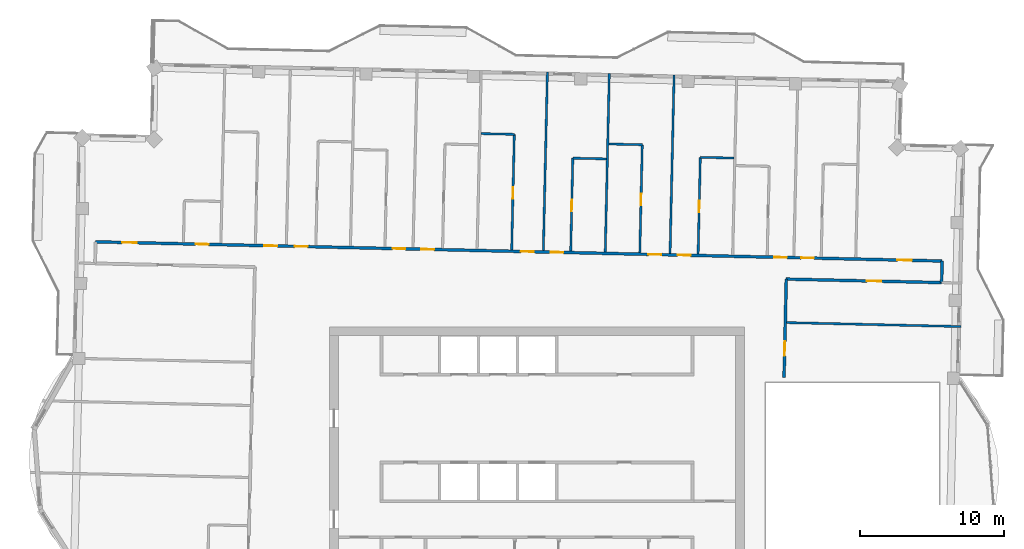
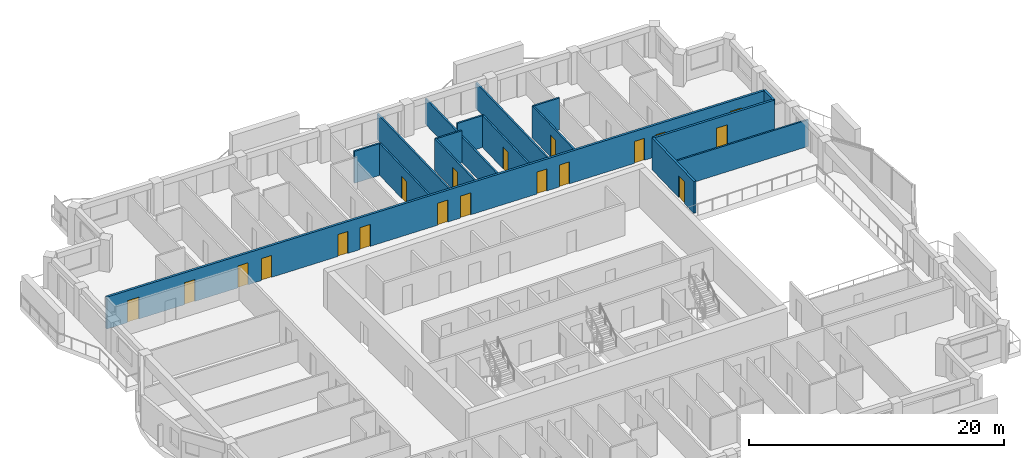
# One storey, part 9 of 15: 19 doors, 16 walls, 19 openings.
"""IFC4 building model written with IfcOpenShell, lengths in metres."""

import ifcopenshell
import ifcopenshell.guid

model = None  # the IFC model being written
_history = None  # IfcOwnerHistory: only IFC2X3 demands one
_inside = {}  # id of a spatial element -> (the spatial element, [elements in it])
_under = {}  # id of a project, library or spatial element -> (it, [spatial elements below it])
_declared = {}  # id of a project -> (the project, [libraries it declares])
_typed = {}  # id of a type object -> (the type object, [elements of that type])
_made_of = {}  # id of a material, layer set ... -> (it, [elements and type objects made of it])


def new_model(schema):
    """Start an empty IFC model of exactly this schema.

    Asked for "IFC4X3", IfcOpenShell would pick the latest addendum, in which some entities
    have other attributes; the version numbers below select the first issue.
    IFC2X3 requires an IfcOwnerHistory on every rooted entity: one is made here for all.
    """
    global model, _history
    if schema == "IFC4X3":
        model = ifcopenshell.file(schema_version=(4, 3, 0, 0))
    else:
        model = ifcopenshell.file(schema=schema)
    _inside.clear()
    _under.clear()
    _declared.clear()
    _typed.clear()
    _made_of.clear()
    _history = None
    if model.schema == "IFC2X3":
        org = make("IfcOrganization", Name="unknown")
        user = make(
            "IfcPersonAndOrganization",
            ThePerson=make("IfcPerson", FamilyName="unknown"),
            TheOrganization=org,
        )
        app = make(
            "IfcApplication",
            ApplicationDeveloper=org,
            Version="unknown",
            ApplicationFullName="unknown",
            ApplicationIdentifier="unknown",
        )
        _history = make(
            "IfcOwnerHistory",
            OwningUser=user,
            OwningApplication=app,
            ChangeAction="ADDED",
            CreationDate=0,
        )
    return model


def make(cls, **values):
    """One entity of the class cls with the attributes given. An attribute that is None is left unset."""
    return model.create_entity(
        cls, **{name: value for name, value in values.items() if value is not None}
    )


def rooted(cls, **values):
    """An entity with a GlobalId (a new one), such as an element, a storey or a relation."""
    return make(cls, GlobalId=ifcopenshell.guid.new(), OwnerHistory=_history, **values)


def si_unit(unit_type, name, prefix=None):
    """IfcSIUnit, for example si_unit("LENGTHUNIT", "METRE", prefix="MILLI")."""
    return make("IfcSIUnit", UnitType=unit_type, Prefix=prefix, Name=name)


def assignment(units):
    """IfcUnitAssignment: the units of a project."""
    return None if units is None else make("IfcUnitAssignment", Units=units)


def point(xyz):
    """IfcCartesianPoint."""
    return None if xyz is None else make("IfcCartesianPoint", Coordinates=xyz)


def direction(xyz):
    """IfcDirection."""
    return None if xyz is None else make("IfcDirection", DirectionRatios=xyz)


def frame(location, z_axis=None, x_axis=None):
    """IfcAxis2Placement3D, a coordinate frame: its origin and axes. An axis left out is left unset."""
    return make(
        "IfcAxis2Placement3D",
        Location=point(location),
        Axis=direction(z_axis),
        RefDirection=direction(x_axis),
    )


def frame_2d(location, x_axis=None):
    """IfcAxis2Placement2D, a coordinate frame in the plane: its origin and x axis."""
    return make(
        "IfcAxis2Placement2D", Location=point(location), RefDirection=direction(x_axis)
    )


def origin():
    """The frame at (0, 0, 0) with its axes left unset."""
    return frame((0.0, 0.0, 0.0))


def place(relative_to, where):
    """IfcLocalPlacement: puts the frame where relative to a parent placement (None: the world)."""
    return make(
        "IfcLocalPlacement", PlacementRelTo=relative_to, RelativePlacement=where
    )


def context(
    kind, dimensions, precision=None, world=None, true_north=None, identifier=None
):
    """IfcGeometricRepresentationContext, for example the 3D "Model" context."""
    return make(
        "IfcGeometricRepresentationContext",
        ContextIdentifier=identifier,
        ContextType=kind,
        CoordinateSpaceDimension=dimensions,
        Precision=precision,
        WorldCoordinateSystem=world,
        TrueNorth=true_north,
    )


def subcontext(parent, identifier, kind, view, scale=None):
    """IfcGeometricRepresentationSubContext, for example "Body" below "Model"."""
    return make(
        "IfcGeometricRepresentationSubContext",
        ContextIdentifier=identifier,
        ContextType=kind,
        ParentContext=parent,
        TargetScale=scale,
        TargetView=view,
    )


def project(units=None, contexts=None):
    """IfcProject with its units and contexts."""
    return rooted(
        "IfcProject",
        Name="project",
        RepresentationContexts=contexts,
        UnitsInContext=assignment(units),
    )


def spatial(cls, under=None, at=None, **own):
    """A site, building, storey or space (cls), placed at a placement, below another one or the project."""
    s = rooted(cls, ObjectPlacement=at, **own)
    if under is not None:
        _under.setdefault(under.id(), (under, []))[1].append(s)
    return s


def profile(cls, at=None, kind="AREA", **sizes):
    """A parametric profile (cls). Its sizes go by their IFC names, for example OverallWidth=200.0."""
    return make(cls, ProfileType=kind, Position=at, **sizes)


def rectangle(**sizes):
    """IfcRectangleProfileDef."""
    return profile("IfcRectangleProfileDef", **sizes)


def extrude(swept, where, along, depth):
    """IfcExtrudedAreaSolid: the profile swept, set in the frame where, extruded along a direction by depth."""
    return make(
        "IfcExtrudedAreaSolid",
        SweptArea=swept,
        Position=where,
        ExtrudedDirection=direction(along),
        Depth=depth,
    )


def shape(context_of_items, identifier, shape_type, items):
    """IfcShapeRepresentation: the items that make up one representation, for example the "Body"."""
    return make(
        "IfcShapeRepresentation",
        ContextOfItems=context_of_items,
        RepresentationIdentifier=identifier,
        RepresentationType=shape_type,
        Items=items,
    )


def material(Name=None, Category=None):
    """IfcMaterial."""
    return make("IfcMaterial", Name=Name, Category=Category)


def layer(
    of_material, thickness, ventilated=None, Name=None, Category=None, Priority=None
):
    """IfcMaterialLayer: one layer of a wall or slab, of a material (None: an air gap)."""
    return make(
        "IfcMaterialLayer",
        Material=of_material,
        LayerThickness=thickness,
        IsVentilated=ventilated,
        Name=Name,
        Category=Category,
        Priority=Priority,
    )


def layer_set(layers, Name=None):
    """IfcMaterialLayerSet."""
    return make("IfcMaterialLayerSet", MaterialLayers=layers, LayerSetName=Name)


def made_of(thing, what):
    """Note that an element or type object is made of a material, layer set ...; save() writes the relation."""
    if what is not None:
        _made_of.setdefault(what.id(), (what, []))[1].append(thing)
    return thing


def type_object(cls, material=None, **own):
    """A type object (cls), such as IfcWallType, which elements share."""
    return made_of(rooted(cls, **own), material)


def element(
    cls,
    number,
    at=None,
    inside=None,
    cuts=None,
    type_object=None,
    material=None,
    context=None,
    identifier="Body",
    shape_type=None,
    held_by="IfcProductDefinitionShape",
    body=None,
    shapes=None,
    **own,
):
    """One element of the class cls, such as IfcWall. Its Tag is "e" and its number.

    at: its placement. inside: the storey or other place that contains it. cuts: it is an
    opening in that element (IfcRelVoidsElement). A single representation is given by context,
    identifier, shape_type and body (its items); several are given by shapes. held_by: the class
    of the entity that holds the representations. save() writes the other relations.
    """
    e = rooted(cls, Tag="e%d" % number, ObjectPlacement=at, **own)
    if body is not None:
        shapes = [shape(context, identifier, shape_type, body)]
    if shapes is not None:
        e.Representation = make(held_by, Representations=shapes)
    if inside is not None:
        _inside.setdefault(inside.id(), (inside, []))[1].append(e)
    if cuts is not None:
        rooted(
            "IfcRelVoidsElement", RelatingBuildingElement=cuts, RelatedOpeningElement=e
        )
    if type_object is not None:
        _typed.setdefault(type_object.id(), (type_object, []))[1].append(e)
    return made_of(e, material)


def fill(opening, filler):
    """IfcRelFillsElement: the door or window that sits in an opening."""
    return rooted(
        "IfcRelFillsElement",
        RelatingOpeningElement=opening,
        RelatedBuildingElement=filler,
    )


def aggregate(whole, parts):
    """IfcRelAggregates: a whole, such as a stair, and the parts it consists of."""
    return rooted("IfcRelAggregates", RelatingObject=whole, RelatedObjects=parts)


def save(model, path):
    """Write the relations noted so far, then the file.

    IfcRelAggregates (storeys below a building ...), IfcRelContainedInSpatialStructure (elements
    in a storey), IfcRelDefinesByType, IfcRelAssociatesMaterial and IfcRelDeclares: one each for
    every whole, place, type object, material and project.
    """
    for whole, parts in _under.values():
        aggregate(whole, parts)
    for where, things in _inside.values():
        rooted(
            "IfcRelContainedInSpatialStructure",
            RelatedElements=things,
            RelatingStructure=where,
        )
    for kind, things in _typed.values():
        rooted("IfcRelDefinesByType", RelatedObjects=things, RelatingType=kind)
    for what, things in _made_of.values():
        rooted("IfcRelAssociatesMaterial", RelatedObjects=things, RelatingMaterial=what)
    for by, libraries in _declared.values():
        rooted("IfcRelDeclares", RelatingContext=by, RelatedDefinitions=libraries)
    model.write(path)


model = new_model("IFC4")

# Units and contexts
model_context = context("Model", 3, precision=1e-05, world=origin(), true_north=direction((0.0, 1.0)))
body_context = subcontext(model_context, "Body", "Model", "MODEL_VIEW")
ifc_project = project(units=[si_unit("LENGTHUNIT", "METRE"), si_unit("AREAUNIT", "SQUARE_METRE"), si_unit("VOLUMEUNIT", "CUBIC_METRE"), si_unit("PLANEANGLEUNIT", "RADIAN"), si_unit("MASSUNIT", "GRAM", prefix="KILO")], contexts=[model_context])

# Site, building, storey
site_placement = place(None, origin())
site = spatial("IfcSite", under=ifc_project, at=site_placement, CompositionType="ELEMENT")
building_placement = place(site_placement, origin())
building = spatial("IfcBuilding", under=site, at=building_placement, Name="Mangrove Gate Tower", CompositionType="ELEMENT")
storey_placement = place(building_placement, frame((0.0, 0.0, 316.89990234375)))
storey = spatial("IfcBuildingStorey", under=building, at=storey_placement, Name="L81", CompositionType="ELEMENT", Elevation=316.89990234375)

# Wall, opening, door
ifc_material_1 = material(Name="Gypsum board on steel stud, EI 60", Category="steel")
ifc_layer_1 = layer(ifc_material_1, 0.199951171875)
ifc_layer_set_1 = layer_set([ifc_layer_1], Name="Corridor wall EI 60")
wall_type_1 = type_object("IfcWallType", Name="Corridor wall EI 60", PredefinedType="PARTITIONING", material=ifc_layer_set_1)
wall_1_placement = place(storey_placement, frame((17.156982421875, 7.89794921875, 0.0), z_axis=(0.0, 0.0, 1.0), x_axis=(0.022562209343, 0.999745440955, 0.0)))
wall_1 = element("IfcWall", 1, at=wall_1_placement, inside=storey, type_object=wall_type_1, Name="WALL-L81-050", PredefinedType="PARTITIONING", context=body_context, shape_type="SweptSolid", body=[
    extrude(rectangle(XDim=6.827880859375, YDim=0.199951171875, at=frame_2d((3.4140625, 0.0))), origin(), (0.0, 0.0, 1.0), 3.050048828125),
])
opening_1_placement = place(wall_1_placement, frame((1.50390625, 0.0, 0.0)))
opening_1 = element("IfcOpeningElement", 2, at=opening_1_placement, cuts=wall_1, Name="Opening AD", PredefinedType="OPENING", context=body_context, shape_type="SweptSolid", body=[
    extrude(rectangle(XDim=1.0, YDim=2.10009765625, at=frame_2d((0.5, 1.050048828125))), frame((0.0, 0.10986328125, 0.0), z_axis=(0.0, -1.0, 0.0), x_axis=(1.0, 0.0, 0.0)), (0.0, 0.0, 1.0), 0.219970703125),
])
ifc_material_2 = material(Name="Timber door leaf", Category="wood")
door_type_1 = type_object("IfcDoorType", Name="Amenity door 1000", OperationType="SINGLE_SWING_LEFT", PredefinedType="DOOR", material=ifc_material_2)
door_1_placement = place(opening_1_placement, origin())
door_1 = element("IfcDoor", 3, at=door_1_placement, inside=storey, type_object=door_type_1, Name="DOOR-L81-KIT-c3a", OperationType="SINGLE_SWING_LEFT", OverallHeight=2.10009765625, OverallWidth=1.0, PredefinedType="DOOR", context=body_context, shape_type="SweptSolid", body=[
    extrude(rectangle(XDim=1.0, YDim=2.10009765625, at=frame_2d((0.5, 1.050048828125))), frame((0.0, 0.02490234375, 0.0), z_axis=(0.0, -1.0, 0.0), x_axis=(1.0, 0.0, 0.0)), (0.0, 0.0, 1.0), 0.050048828125),
])
fill(opening_1, door_1)

wall_2_placement = place(storey_placement, frame((17.305908203125, 14.72412109375, 0.0), z_axis=(0.0, 0.0, 1.0), x_axis=(0.999744269809, -0.022614043969, 0.0)))
wall_2 = element("IfcWall", 4, at=wall_2_placement, inside=storey, type_object=wall_type_1, Name="WALL-L81-056", PredefinedType="PARTITIONING", context=body_context, shape_type="SweptSolid", body=[
    extrude(rectangle(XDim=10.7958984375, YDim=0.199951171875, at=frame_2d((5.39794921875, 0.0))), origin(), (0.0, 0.0, 1.0), 3.050048828125),
])
opening_2_placement = place(wall_2_placement, frame((5.597900390625, 0.0, 0.0)))
opening_2 = element("IfcOpeningElement", 5, at=opening_2_placement, cuts=wall_2, Name="Opening AD", PredefinedType="OPENING", context=body_context, shape_type="SweptSolid", body=[
    extrude(rectangle(XDim=1.0, YDim=2.10009765625, at=frame_2d((0.5, 1.050048828125))), frame((0.0, 0.10986328125, 0.0), z_axis=(0.0, -1.0, 0.0), x_axis=(1.0, 0.0, 0.0)), (0.0, 0.0, 1.0), 0.219970703125),
])
door_2_placement = place(opening_2_placement, origin())
door_2 = element("IfcDoor", 6, at=door_2_placement, inside=storey, type_object=door_type_1, Name="DOOR-L81-STU-c3a", OperationType="SINGLE_SWING_RIGHT", OverallHeight=2.10009765625, OverallWidth=1.0, PredefinedType="DOOR", context=body_context, shape_type="SweptSolid", body=[
    extrude(rectangle(XDim=1.0, YDim=2.10009765625, at=frame_2d((0.5, 1.050048828125))), frame((0.0, 0.02490234375, 0.0), z_axis=(0.0, -1.0, 0.0), x_axis=(1.0, 0.0, 0.0)), (0.0, 0.0, 1.0), 0.050048828125),
])
fill(opening_2, door_2)

# Wall
wall_3_placement = place(storey_placement, frame((28.09912109375, 14.47998046875, 0.0), z_axis=(0.0, 0.0, 1.0), x_axis=(0.022632637625, 0.99974384905, 0.0)))
element("IfcWall", 7, at=wall_3_placement, inside=storey, type_object=wall_type_1, Name="WALL-L81-058", PredefinedType="PARTITIONING", context=body_context, shape_type="SweptSolid", body=[
    extrude(rectangle(XDim=1.49951171875, YDim=0.199951171875, at=frame_2d((0.749755859375, 0.0))), origin(), (0.0, 0.0, 1.0), 3.050048828125),
])

# Wall, openings, doors
wall_4_placement = place(storey_placement, frame((-30.652099609375, 17.31298828125, 0.0), z_axis=(0.0, 0.0, 1.0), x_axis=(0.999742623764, -0.02268669719, 0.0)))
wall_4 = element("IfcWall", 8, at=wall_4_placement, inside=storey, type_object=wall_type_1, Name="WALL-L81-059", PredefinedType="PARTITIONING", context=body_context, shape_type="SweptSolid", body=[
    extrude(rectangle(XDim=58.80029296875, YDim=0.199951171875, at=frame_2d((29.400146484375, 0.0))), origin(), (0.0, 0.0, 1.0), 3.050048828125),
])
opening_3_placement = place(wall_4_placement, frame((55.697998046875, 0.0, 0.0)))
opening_3 = element("IfcOpeningElement", 9, at=opening_3_placement, cuts=wall_4, Name="Opening AD", PredefinedType="OPENING", context=body_context, shape_type="SweptSolid", body=[
    extrude(rectangle(XDim=1.0, YDim=2.10009765625, at=frame_2d((0.5, 1.050048828125))), frame((0.0, 0.10986328125, 0.0), z_axis=(0.0, -1.0, 0.0), x_axis=(1.0, 0.0, 0.0)), (0.0, 0.0, 1.0), 0.219970703125),
])
opening_4_placement = place(wall_4_placement, frame((49.0, 0.0, 0.0)))
opening_4 = element("IfcOpeningElement", 10, at=opening_4_placement, cuts=wall_4, Name="Opening BD", PredefinedType="OPENING", context=body_context, shape_type="SweptSolid", body=[
    extrude(rectangle(XDim=0.89990234375, YDim=2.10009765625, at=frame_2d((0.449951171875, 1.050048828125))), frame((0.0, 0.10986328125, 0.0), z_axis=(0.0, -1.0, 0.0), x_axis=(1.0, 0.0, 0.0)), (0.0, 0.0, 1.0), 0.219970703125),
])
opening_5_placement = place(wall_4_placement, frame((47.125, 0.0, 0.0)))
opening_5 = element("IfcOpeningElement", 11, at=opening_5_placement, cuts=wall_4, Name="Opening BD", PredefinedType="OPENING", context=body_context, shape_type="SweptSolid", body=[
    extrude(rectangle(XDim=0.89990234375, YDim=2.10009765625, at=frame_2d((0.449951171875, 1.050048828125))), frame((0.0, 0.10986328125, 0.0), z_axis=(0.0, -1.0, 0.0), x_axis=(1.0, 0.0, 0.0)), (0.0, 0.0, 1.0), 0.219970703125),
])
opening_6_placement = place(wall_4_placement, frame((40.425048828125, 0.0, 0.0)))
opening_6 = element("IfcOpeningElement", 12, at=opening_6_placement, cuts=wall_4, Name="Opening BD", PredefinedType="OPENING", context=body_context, shape_type="SweptSolid", body=[
    extrude(rectangle(XDim=0.89990234375, YDim=2.10009765625, at=frame_2d((0.449951171875, 1.050048828125))), frame((0.0, 0.10986328125, 0.0), z_axis=(0.0, -1.0, 0.0), x_axis=(1.0, 0.0, 0.0)), (0.0, 0.0, 1.0), 0.219970703125),
])
opening_7_placement = place(wall_4_placement, frame((38.39990234375, 0.0, 0.0)))
opening_7 = element("IfcOpeningElement", 13, at=opening_7_placement, cuts=wall_4, Name="Opening BD", PredefinedType="OPENING", context=body_context, shape_type="SweptSolid", body=[
    extrude(rectangle(XDim=0.89990234375, YDim=2.10009765625, at=frame_2d((0.449951171875, 1.050048828125))), frame((0.0, 0.10986328125, 0.0), z_axis=(0.0, -1.0, 0.0), x_axis=(1.0, 0.0, 0.0)), (0.0, 0.0, 1.0), 0.219970703125),
])
opening_8_placement = place(wall_4_placement, frame((31.60009765625, 0.0, 0.0)))
opening_8 = element("IfcOpeningElement", 14, at=opening_8_placement, cuts=wall_4, Name="Opening BD", PredefinedType="OPENING", context=body_context, shape_type="SweptSolid", body=[
    extrude(rectangle(XDim=0.89990234375, YDim=2.10009765625, at=frame_2d((0.449951171875, 1.050048828125))), frame((0.0, 0.10986328125, 0.0), z_axis=(0.0, -1.0, 0.0), x_axis=(1.0, 0.0, 0.0)), (0.0, 0.0, 1.0), 0.219970703125),
])
opening_9_placement = place(wall_4_placement, frame((29.550048828125, 0.0, 0.0)))
opening_9 = element("IfcOpeningElement", 15, at=opening_9_placement, cuts=wall_4, Name="Opening BD", PredefinedType="OPENING", context=body_context, shape_type="SweptSolid", body=[
    extrude(rectangle(XDim=0.89990234375, YDim=2.10009765625, at=frame_2d((0.449951171875, 1.050048828125))), frame((0.0, 0.10986328125, 0.0), z_axis=(0.0, -1.0, 0.0), x_axis=(1.0, 0.0, 0.0)), (0.0, 0.0, 1.0), 0.219970703125),
])
opening_10_placement = place(wall_4_placement, frame((22.625, 0.0, 0.0)))
opening_10 = element("IfcOpeningElement", 16, at=opening_10_placement, cuts=wall_4, Name="Opening BD", PredefinedType="OPENING", context=body_context, shape_type="SweptSolid", body=[
    extrude(rectangle(XDim=0.89990234375, YDim=2.10009765625, at=frame_2d((0.449951171875, 1.050048828125))), frame((0.0, 0.10986328125, 0.0), z_axis=(0.0, -1.0, 0.0), x_axis=(1.0, 0.0, 0.0)), (0.0, 0.0, 1.0), 0.219970703125),
])
opening_11_placement = place(wall_4_placement, frame((20.625, 0.0, 0.0)))
opening_11 = element("IfcOpeningElement", 17, at=opening_11_placement, cuts=wall_4, Name="Opening BD", PredefinedType="OPENING", context=body_context, shape_type="SweptSolid", body=[
    extrude(rectangle(XDim=0.89990234375, YDim=2.10009765625, at=frame_2d((0.449951171875, 1.050048828125))), frame((0.0, 0.10986328125, 0.0), z_axis=(0.0, -1.0, 0.0), x_axis=(1.0, 0.0, 0.0)), (0.0, 0.0, 1.0), 0.219970703125),
])
opening_12_placement = place(wall_4_placement, frame((13.824951171875, 0.0, 0.0)))
opening_12 = element("IfcOpeningElement", 18, at=opening_12_placement, cuts=wall_4, Name="Opening BD", PredefinedType="OPENING", context=body_context, shape_type="SweptSolid", body=[
    extrude(rectangle(XDim=0.89990234375, YDim=2.10009765625, at=frame_2d((0.449951171875, 1.050048828125))), frame((0.0, 0.10986328125, 0.0), z_axis=(0.0, -1.0, 0.0), x_axis=(1.0, 0.0, 0.0)), (0.0, 0.0, 1.0), 0.219970703125),
])
opening_13_placement = place(wall_4_placement, frame((11.72509765625, 0.0, 0.0)))
opening_13 = element("IfcOpeningElement", 19, at=opening_13_placement, cuts=wall_4, Name="Opening BD", PredefinedType="OPENING", context=body_context, shape_type="SweptSolid", body=[
    extrude(rectangle(XDim=0.89990234375, YDim=2.10009765625, at=frame_2d((0.449951171875, 1.050048828125))), frame((0.0, 0.10986328125, 0.0), z_axis=(0.0, -1.0, 0.0), x_axis=(1.0, 0.0, 0.0)), (0.0, 0.0, 1.0), 0.219970703125),
])
opening_14_placement = place(wall_4_placement, frame((1.85009765625, 0.0, 0.0)))
opening_14 = element("IfcOpeningElement", 20, at=opening_14_placement, cuts=wall_4, Name="Opening AD", PredefinedType="OPENING", context=body_context, shape_type="SweptSolid", body=[
    extrude(rectangle(XDim=1.0, YDim=2.10009765625, at=frame_2d((0.5, 1.050048828125))), frame((0.0, 0.10986328125, 0.0), z_axis=(0.0, -1.0, 0.0), x_axis=(1.0, 0.0, 0.0)), (0.0, 0.0, 1.0), 0.219970703125),
])
opening_15_placement = place(wall_4_placement, frame((6.949951171875, 0.0, 0.0)))
opening_15 = element("IfcOpeningElement", 21, at=opening_15_placement, cuts=wall_4, Name="Opening SD", PredefinedType="OPENING", context=body_context, shape_type="SweptSolid", body=[
    extrude(rectangle(XDim=0.89990234375, YDim=2.10009765625, at=frame_2d((0.449951171875, 1.050048828125))), frame((0.0, 0.10986328125, 0.0), z_axis=(0.0, -1.0, 0.0), x_axis=(1.0, 0.0, 0.0)), (0.0, 0.0, 1.0), 0.219970703125),
])
door_3_placement = place(opening_3_placement, origin())
door_3 = element("IfcDoor", 22, at=door_3_placement, inside=storey, type_object=door_type_1, Name="DOOR-L81-STU-c3b", OperationType="SINGLE_SWING_LEFT", OverallHeight=2.10009765625, OverallWidth=1.0, PredefinedType="DOOR", context=body_context, shape_type="SweptSolid", body=[
    extrude(rectangle(XDim=1.0, YDim=2.10009765625, at=frame_2d((0.5, 1.050048828125))), frame((0.0, 0.02490234375, 0.0), z_axis=(0.0, -1.0, 0.0), x_axis=(1.0, 0.0, 0.0)), (0.0, 0.0, 1.0), 0.050048828125),
])
fill(opening_3, door_3)
door_4_placement = place(opening_14_placement, origin())
door_4 = element("IfcDoor", 23, at=door_4_placement, inside=storey, type_object=door_type_1, Name="DOOR-L81-LNG-c5a", OperationType="SINGLE_SWING_RIGHT", OverallHeight=2.10009765625, OverallWidth=1.0, PredefinedType="DOOR", context=body_context, shape_type="SweptSolid", body=[
    extrude(rectangle(XDim=1.0, YDim=2.10009765625, at=frame_2d((0.5, 1.050048828125))), frame((0.0, 0.02490234375, 0.0), z_axis=(0.0, -1.0, 0.0), x_axis=(1.0, 0.0, 0.0)), (0.0, 0.0, 1.0), 0.050048828125),
])
fill(opening_14, door_4)
ifc_material_3 = material(Name="Timber door leaf", Category="wood")
door_type_2 = type_object("IfcDoorType", Name="Bedroom door 900", OperationType="SINGLE_SWING_LEFT", PredefinedType="DOOR", material=ifc_material_3)
door_5_placement = place(opening_4_placement, origin())
door_5 = element("IfcDoor", 24, at=door_5_placement, inside=storey, type_object=door_type_2, Name="DOOR-L81-BED-c311", OperationType="SINGLE_SWING_LEFT", OverallHeight=2.10009765625, OverallWidth=0.89990234375, PredefinedType="DOOR", context=body_context, shape_type="SweptSolid", body=[
    extrude(rectangle(XDim=0.89990234375, YDim=2.10009765625, at=frame_2d((0.449951171875, 1.050048828125))), frame((0.0, 0.02490234375, 0.0), z_axis=(0.0, -1.0, 0.0), x_axis=(1.0, 0.0, 0.0)), (0.0, 0.0, 1.0), 0.050048828125),
])
fill(opening_4, door_5)
door_6_placement = place(opening_5_placement, origin())
door_6 = element("IfcDoor", 25, at=door_6_placement, inside=storey, type_object=door_type_2, Name="DOOR-L81-BED-c312", OperationType="SINGLE_SWING_RIGHT", OverallHeight=2.10009765625, OverallWidth=0.89990234375, PredefinedType="DOOR", context=body_context, shape_type="SweptSolid", body=[
    extrude(rectangle(XDim=0.89990234375, YDim=2.10009765625, at=frame_2d((0.449951171875, 1.050048828125))), frame((0.0, 0.02490234375, 0.0), z_axis=(0.0, -1.0, 0.0), x_axis=(1.0, 0.0, 0.0)), (0.0, 0.0, 1.0), 0.050048828125),
])
fill(opening_5, door_6)
door_7_placement = place(opening_6_placement, origin())
door_7 = element("IfcDoor", 26, at=door_7_placement, inside=storey, type_object=door_type_2, Name="DOOR-L81-BED-c413", OperationType="SINGLE_SWING_LEFT", OverallHeight=2.10009765625, OverallWidth=0.89990234375, PredefinedType="DOOR", context=body_context, shape_type="SweptSolid", body=[
    extrude(rectangle(XDim=0.89990234375, YDim=2.10009765625, at=frame_2d((0.449951171875, 1.050048828125))), frame((0.0, 0.02490234375, 0.0), z_axis=(0.0, -1.0, 0.0), x_axis=(1.0, 0.0, 0.0)), (0.0, 0.0, 1.0), 0.050048828125),
])
fill(opening_6, door_7)
door_8_placement = place(opening_7_placement, origin())
door_8 = element("IfcDoor", 27, at=door_8_placement, inside=storey, type_object=door_type_2, Name="DOOR-L81-BED-c414", OperationType="SINGLE_SWING_RIGHT", OverallHeight=2.10009765625, OverallWidth=0.89990234375, PredefinedType="DOOR", context=body_context, shape_type="SweptSolid", body=[
    extrude(rectangle(XDim=0.89990234375, YDim=2.10009765625, at=frame_2d((0.449951171875, 1.050048828125))), frame((0.0, 0.02490234375, 0.0), z_axis=(0.0, -1.0, 0.0), x_axis=(1.0, 0.0, 0.0)), (0.0, 0.0, 1.0), 0.050048828125),
])
fill(opening_7, door_8)
door_9_placement = place(opening_8_placement, origin())
door_9 = element("IfcDoor", 28, at=door_9_placement, inside=storey, type_object=door_type_2, Name="DOOR-L81-BED-c415", OperationType="SINGLE_SWING_LEFT", OverallHeight=2.10009765625, OverallWidth=0.89990234375, PredefinedType="DOOR", context=body_context, shape_type="SweptSolid", body=[
    extrude(rectangle(XDim=0.89990234375, YDim=2.10009765625, at=frame_2d((0.449951171875, 1.050048828125))), frame((0.0, 0.02490234375, 0.0), z_axis=(0.0, -1.0, 0.0), x_axis=(1.0, 0.0, 0.0)), (0.0, 0.0, 1.0), 0.050048828125),
])
fill(opening_8, door_9)
door_10_placement = place(opening_9_placement, origin())
door_10 = element("IfcDoor", 29, at=door_10_placement, inside=storey, type_object=door_type_2, Name="DOOR-L81-BED-c416", OperationType="SINGLE_SWING_RIGHT", OverallHeight=2.10009765625, OverallWidth=0.89990234375, PredefinedType="DOOR", context=body_context, shape_type="SweptSolid", body=[
    extrude(rectangle(XDim=0.89990234375, YDim=2.10009765625, at=frame_2d((0.449951171875, 1.050048828125))), frame((0.0, 0.02490234375, 0.0), z_axis=(0.0, -1.0, 0.0), x_axis=(1.0, 0.0, 0.0)), (0.0, 0.0, 1.0), 0.050048828125),
])
fill(opening_9, door_10)
door_11_placement = place(opening_10_placement, origin())
door_11 = element("IfcDoor", 30, at=door_11_placement, inside=storey, type_object=door_type_2, Name="DOOR-L81-BED-c517", OperationType="SINGLE_SWING_LEFT", OverallHeight=2.10009765625, OverallWidth=0.89990234375, PredefinedType="DOOR", context=body_context, shape_type="SweptSolid", body=[
    extrude(rectangle(XDim=0.89990234375, YDim=2.10009765625, at=frame_2d((0.449951171875, 1.050048828125))), frame((0.0, 0.02490234375, 0.0), z_axis=(0.0, -1.0, 0.0), x_axis=(1.0, 0.0, 0.0)), (0.0, 0.0, 1.0), 0.050048828125),
])
fill(opening_10, door_11)
door_12_placement = place(opening_11_placement, origin())
door_12 = element("IfcDoor", 31, at=door_12_placement, inside=storey, type_object=door_type_2, Name="DOOR-L81-BED-c518", OperationType="SINGLE_SWING_RIGHT", OverallHeight=2.10009765625, OverallWidth=0.89990234375, PredefinedType="DOOR", context=body_context, shape_type="SweptSolid", body=[
    extrude(rectangle(XDim=0.89990234375, YDim=2.10009765625, at=frame_2d((0.449951171875, 1.050048828125))), frame((0.0, 0.02490234375, 0.0), z_axis=(0.0, -1.0, 0.0), x_axis=(1.0, 0.0, 0.0)), (0.0, 0.0, 1.0), 0.050048828125),
])
fill(opening_11, door_12)
door_13_placement = place(opening_12_placement, origin())
door_13 = element("IfcDoor", 32, at=door_13_placement, inside=storey, type_object=door_type_2, Name="DOOR-L81-BED-c519", OperationType="SINGLE_SWING_LEFT", OverallHeight=2.10009765625, OverallWidth=0.89990234375, PredefinedType="DOOR", context=body_context, shape_type="SweptSolid", body=[
    extrude(rectangle(XDim=0.89990234375, YDim=2.10009765625, at=frame_2d((0.449951171875, 1.050048828125))), frame((0.0, 0.02490234375, 0.0), z_axis=(0.0, -1.0, 0.0), x_axis=(1.0, 0.0, 0.0)), (0.0, 0.0, 1.0), 0.050048828125),
])
fill(opening_12, door_13)
door_14_placement = place(opening_13_placement, origin())
door_14 = element("IfcDoor", 33, at=door_14_placement, inside=storey, type_object=door_type_2, Name="DOOR-L81-BED-c520", OperationType="SINGLE_SWING_RIGHT", OverallHeight=2.10009765625, OverallWidth=0.89990234375, PredefinedType="DOOR", context=body_context, shape_type="SweptSolid", body=[
    extrude(rectangle(XDim=0.89990234375, YDim=2.10009765625, at=frame_2d((0.449951171875, 1.050048828125))), frame((0.0, 0.02490234375, 0.0), z_axis=(0.0, -1.0, 0.0), x_axis=(1.0, 0.0, 0.0)), (0.0, 0.0, 1.0), 0.050048828125),
])
fill(opening_13, door_14)
ifc_material_4 = material(Name="Timber door leaf", Category="wood")
door_type_3 = type_object("IfcDoorType", Name="Service room door 900", OperationType="SINGLE_SWING_LEFT", PredefinedType="DOOR", material=ifc_material_4)
door_15_placement = place(opening_15_placement, origin())
door_15 = element("IfcDoor", 34, at=door_15_placement, inside=storey, type_object=door_type_3, Name="DOOR-L81-AWC-c5a", OperationType="SINGLE_SWING_RIGHT", OverallHeight=2.10009765625, OverallWidth=0.89990234375, PredefinedType="DOOR", context=body_context, shape_type="SweptSolid", body=[
    extrude(rectangle(XDim=0.89990234375, YDim=2.10009765625, at=frame_2d((0.449951171875, 1.050048828125))), frame((0.0, 0.02490234375, 0.0), z_axis=(0.0, -1.0, 0.0), x_axis=(1.0, 0.0, 0.0)), (0.0, 0.0, 1.0), 0.050048828125),
])
fill(opening_15, door_15)

# Wall
ifc_material_5 = material(Name="Gypsum board on steel stud, EI 60", Category="steel")
ifc_layer_2 = layer(ifc_material_5, 0.14990234375)
ifc_layer_set_2 = layer_set([ifc_layer_2], Name="Party wall 150 EI 60")
wall_type_2 = type_object("IfcWallType", Name="Party wall 150 EI 60", PredefinedType="PARTITIONING", material=ifc_layer_set_2)
wall_5_placement = place(storey_placement, frame((17.337890625, 11.702880859375, 0.0), z_axis=(0.0, 0.0, 1.0), x_axis=(0.999743510562, -0.022647584624, 0.0)))
element("IfcWall", 35, at=wall_5_placement, inside=storey, type_object=wall_type_2, Name="WALL-L81-052", PredefinedType="PARTITIONING", context=body_context, shape_type="SweptSolid", body=[
    extrude(rectangle(XDim=12.09521484375, YDim=0.14990234375, at=frame_2d((6.047607421875, 0.0))), origin(), (0.0, 0.0, 1.0), 2.550048828125),
])

# Wall, opening, door
wall_6_placement = place(storey_placement, frame((-1.757080078125, 16.757080078125, 0.0), z_axis=(0.0, 0.0, 1.0), x_axis=(0.022709649785, 0.999742102648, 0.0)))
wall_6 = element("IfcWall", 36, at=wall_6_placement, inside=storey, type_object=wall_type_2, Name="WALL-L81-070", PredefinedType="PARTITIONING", context=body_context, shape_type="SweptSolid", body=[
    extrude(rectangle(XDim=8.019775390625, YDim=0.14990234375, at=frame_2d((4.009765625, 0.0))), origin(), (0.0, 0.0, 1.0), 3.050048828125),
])
opening_16_placement = place(wall_6_placement, frame((3.56005859375, 0.0, 0.0)))
opening_16 = element("IfcOpeningElement", 37, at=opening_16_placement, cuts=wall_6, Name="Opening ED", PredefinedType="OPENING", context=body_context, shape_type="SweptSolid", body=[
    extrude(rectangle(XDim=0.800048828125, YDim=2.10009765625, at=frame_2d((0.39990234375, 1.050048828125))), frame((0.0, 0.0849609375, 0.0), z_axis=(0.0, -1.0, 0.0), x_axis=(1.0, 0.0, 0.0)), (0.0, 0.0, 1.0), 0.169921875),
])
ifc_material_6 = material(Name="Timber door leaf", Category="wood")
door_type_4 = type_object("IfcDoorType", Name="En-suite door 800", OperationType="SINGLE_SWING_LEFT", PredefinedType="DOOR", material=ifc_material_6)
door_16_placement = place(opening_16_placement, origin())
door_16 = element("IfcDoor", 38, at=door_16_placement, inside=storey, type_object=door_type_4, Name="DOOR-L81-ENS-c416", OperationType="SINGLE_SWING_RIGHT", OverallHeight=2.10009765625, OverallWidth=0.800048828125, PredefinedType="DOOR", context=body_context, shape_type="SweptSolid", body=[
    extrude(rectangle(XDim=0.800048828125, YDim=2.10009765625, at=frame_2d((0.39990234375, 1.050048828125))), frame((0.0, 0.02490234375, 0.0), z_axis=(0.0, -1.0, 0.0), x_axis=(1.0, 0.0, 0.0)), (0.0, 0.0, 1.0), 0.050048828125),
])
fill(opening_16, door_16)

# Wall
wall_7_placement = place(storey_placement, frame((0.44189453125, 16.7080078125, 0.0), z_axis=(0.0, 0.0, 1.0), x_axis=(0.022663260168, 0.999743155335, 0.0)))
element("IfcWall", 39, at=wall_7_placement, inside=storey, type_object=wall_type_2, Name="WALL-L81-071", PredefinedType="PARTITIONING", context=body_context, shape_type="SweptSolid", body=[
    extrude(rectangle(XDim=12.399169921875, YDim=0.14990234375, at=frame_2d((6.19970703125, 0.0))), origin(), (0.0, 0.0, 1.0), 2.4501953125),
])

# Wall, opening, door
wall_8_placement = place(storey_placement, frame((2.342041015625, 16.6640625, 0.0), z_axis=(0.0, 0.0, 1.0), x_axis=(0.022597796078, 0.999744637201, 0.0)))
wall_8 = element("IfcWall", 40, at=wall_8_placement, inside=storey, type_object=wall_type_2, Name="WALL-L81-072", PredefinedType="PARTITIONING", context=body_context, shape_type="SweptSolid", body=[
    extrude(rectangle(XDim=6.460693359375, YDim=0.14990234375, at=frame_2d((3.23046875, 0.0))), origin(), (0.0, 0.0, 1.0), 3.050048828125),
])
opening_17_placement = place(wall_8_placement, frame((2.780029296875, 0.0, 0.0)))
opening_17 = element("IfcOpeningElement", 41, at=opening_17_placement, cuts=wall_8, Name="Opening ED", PredefinedType="OPENING", context=body_context, shape_type="SweptSolid", body=[
    extrude(rectangle(XDim=0.800048828125, YDim=2.10009765625, at=frame_2d((0.39990234375, 1.050048828125))), frame((0.0, 0.0849609375, 0.0), z_axis=(0.0, -1.0, 0.0), x_axis=(1.0, 0.0, 0.0)), (0.0, 0.0, 1.0), 0.169921875),
])
door_17_placement = place(opening_17_placement, origin())
door_17 = element("IfcDoor", 42, at=door_17_placement, inside=storey, type_object=door_type_4, Name="DOOR-L81-ENS-c415", OperationType="SINGLE_SWING_LEFT", OverallHeight=2.10009765625, OverallWidth=0.800048828125, PredefinedType="DOOR", context=body_context, shape_type="SweptSolid", body=[
    extrude(rectangle(XDim=0.800048828125, YDim=2.10009765625, at=frame_2d((0.39990234375, 1.050048828125))), frame((0.0, 0.02490234375, 0.0), z_axis=(0.0, -1.0, 0.0), x_axis=(1.0, 0.0, 0.0)), (0.0, 0.0, 1.0), 0.050048828125),
])
fill(opening_17, door_17)

# Wall
wall_9_placement = place(storey_placement, frame((4.740966796875, 16.610107421875, 0.0), z_axis=(0.0, 0.0, 1.0), x_axis=(0.022661475803, 0.999743195783, 0.0)))
element("IfcWall", 43, at=wall_9_placement, inside=storey, type_object=wall_type_2, Name="WALL-L81-073", PredefinedType="PARTITIONING", context=body_context, shape_type="SweptSolid", body=[
    extrude(rectangle(XDim=12.400146484375, YDim=0.14990234375, at=frame_2d((6.2001953125, 0.0))), origin(), (0.0, 0.0, 1.0), 2.4501953125),
])

# Wall, opening, door
wall_10_placement = place(storey_placement, frame((7.139892578125, 16.555908203125, 0.0), z_axis=(0.0, 0.0, 1.0), x_axis=(0.022819011082, 0.999739612466, 0.0)))
wall_10 = element("IfcWall", 44, at=wall_10_placement, inside=storey, type_object=wall_type_2, Name="WALL-L81-074", PredefinedType="PARTITIONING", context=body_context, shape_type="SweptSolid", body=[
    extrude(rectangle(XDim=7.5, YDim=0.14990234375, at=frame_2d((3.75, 0.0))), origin(), (0.0, 0.0, 1.0), 3.050048828125),
])
opening_18_placement = place(wall_10_placement, frame((3.300048828125, 0.0, 0.0)))
opening_18 = element("IfcOpeningElement", 45, at=opening_18_placement, cuts=wall_10, Name="Opening ED", PredefinedType="OPENING", context=body_context, shape_type="SweptSolid", body=[
    extrude(rectangle(XDim=0.800048828125, YDim=2.10009765625, at=frame_2d((0.39990234375, 1.050048828125))), frame((0.0, 0.0849609375, 0.0), z_axis=(0.0, -1.0, 0.0), x_axis=(1.0, 0.0, 0.0)), (0.0, 0.0, 1.0), 0.169921875),
])
door_18_placement = place(opening_18_placement, origin())
door_18 = element("IfcDoor", 46, at=door_18_placement, inside=storey, type_object=door_type_4, Name="DOOR-L81-ENS-c414", OperationType="SINGLE_SWING_RIGHT", OverallHeight=2.10009765625, OverallWidth=0.800048828125, PredefinedType="DOOR", context=body_context, shape_type="SweptSolid", body=[
    extrude(rectangle(XDim=0.800048828125, YDim=2.10009765625, at=frame_2d((0.39990234375, 1.050048828125))), frame((0.0, 0.02490234375, 0.0), z_axis=(0.0, -1.0, 0.0), x_axis=(1.0, 0.0, 0.0)), (0.0, 0.0, 1.0), 0.050048828125),
])
fill(opening_18, door_18)

# Wall
wall_11_placement = place(storey_placement, frame((9.239990234375, 16.508056640625, 0.0), z_axis=(0.0, 0.0, 1.0), x_axis=(0.022661475803, 0.999743195783, 0.0)))
element("IfcWall", 47, at=wall_11_placement, inside=storey, type_object=wall_type_2, Name="WALL-L81-075", PredefinedType="PARTITIONING", context=body_context, shape_type="SweptSolid", body=[
    extrude(rectangle(XDim=12.400146484375, YDim=0.14990234375, at=frame_2d((6.2001953125, 0.0))), origin(), (0.0, 0.0, 1.0), 2.4501953125),
])

# Wall, opening, door
wall_12_placement = place(storey_placement, frame((11.18896484375, 16.464111328125, 0.0), z_axis=(0.0, 0.0, 1.0), x_axis=(0.022780828718, 0.999740483247, 0.0)))
wall_12 = element("IfcWall", 48, at=wall_12_placement, inside=storey, type_object=wall_type_2, Name="WALL-L81-076", PredefinedType="PARTITIONING", context=body_context, shape_type="SweptSolid", body=[
    extrude(rectangle(XDim=6.719482421875, YDim=0.14990234375, at=frame_2d((3.35986328125, 0.0))), origin(), (0.0, 0.0, 1.0), 3.050048828125),
])
opening_19_placement = place(wall_12_placement, frame((2.909912109375, 0.0, 0.0)))
opening_19 = element("IfcOpeningElement", 49, at=opening_19_placement, cuts=wall_12, Name="Opening ED", PredefinedType="OPENING", context=body_context, shape_type="SweptSolid", body=[
    extrude(rectangle(XDim=0.800048828125, YDim=2.10009765625, at=frame_2d((0.39990234375, 1.050048828125))), frame((0.0, 0.0849609375, 0.0), z_axis=(0.0, -1.0, 0.0), x_axis=(1.0, 0.0, 0.0)), (0.0, 0.0, 1.0), 0.169921875),
])
door_19_placement = place(opening_19_placement, origin())
door_19 = element("IfcDoor", 50, at=door_19_placement, inside=storey, type_object=door_type_4, Name="DOOR-L81-ENS-c413", OperationType="SINGLE_SWING_LEFT", OverallHeight=2.10009765625, OverallWidth=0.800048828125, PredefinedType="DOOR", context=body_context, shape_type="SweptSolid", body=[
    extrude(rectangle(XDim=0.800048828125, YDim=2.10009765625, at=frame_2d((0.39990234375, 1.050048828125))), frame((0.0, 0.02490234375, 0.0), z_axis=(0.0, -1.0, 0.0), x_axis=(1.0, 0.0, 0.0)), (0.0, 0.0, 1.0), 0.050048828125),
])
fill(opening_19, door_19)

# Walls
wall_13_placement = place(storey_placement, frame((2.488037109375, 23.123046875, 0.0), z_axis=(0.0, 0.0, 1.0), x_axis=(0.999740478815, -0.022781023197, 0.0)))
element("IfcWall", 51, at=wall_13_placement, inside=storey, type_object=wall_type_2, Name="WALL-L81-084", PredefinedType="PARTITIONING", context=body_context, shape_type="SweptSolid", body=[
    extrude(rectangle(XDim=2.325439453125, YDim=0.14990234375, at=frame_2d((1.16259765625, 0.0))), origin(), (0.0, 0.0, 1.0), 3.050048828125),
])
wall_14_placement = place(storey_placement, frame((11.342041015625, 23.181884765625, 0.0), z_axis=(0.0, 0.0, 1.0), x_axis=(0.999740260747, -0.02279059109, 0.0)))
element("IfcWall", 52, at=wall_14_placement, inside=storey, type_object=wall_type_2, Name="WALL-L81-087", PredefinedType="PARTITIONING", context=body_context, shape_type="SweptSolid", body=[
    extrude(rectangle(XDim=2.324462890625, YDim=0.14990234375, at=frame_2d((1.162109375, 0.0))), origin(), (0.0, 0.0, 1.0), 3.050048828125),
])
for number, where, z_axis, x_axis, name in (
    (53, (4.986083984375, 24.10595703125, 0.0), (0.0, 0.0, 1.0), (0.999749954681, -0.022361308448, 0.0), "WALL-L81-090"),
    (54, (-3.89990234375, 24.827880859375, 0.0), (0.0, 0.0, 1.0), (0.999740478815, -0.022781023197, 0.0), "WALL-L81-092"),
):
    element("IfcWall", number, at=place(storey_placement, frame(where, z_axis=z_axis, x_axis=x_axis)), inside=storey, type_object=wall_type_2, Name=name, PredefinedType="PARTITIONING", context=body_context, shape_type="SweptSolid", body=[
        extrude(rectangle(XDim=2.325439453125, YDim=0.14990234375, at=frame_2d((1.16259765625, 0.0))), origin(), (0.0, 0.0, 1.0), 3.050048828125),
    ])

save(model, "model.ifc")
